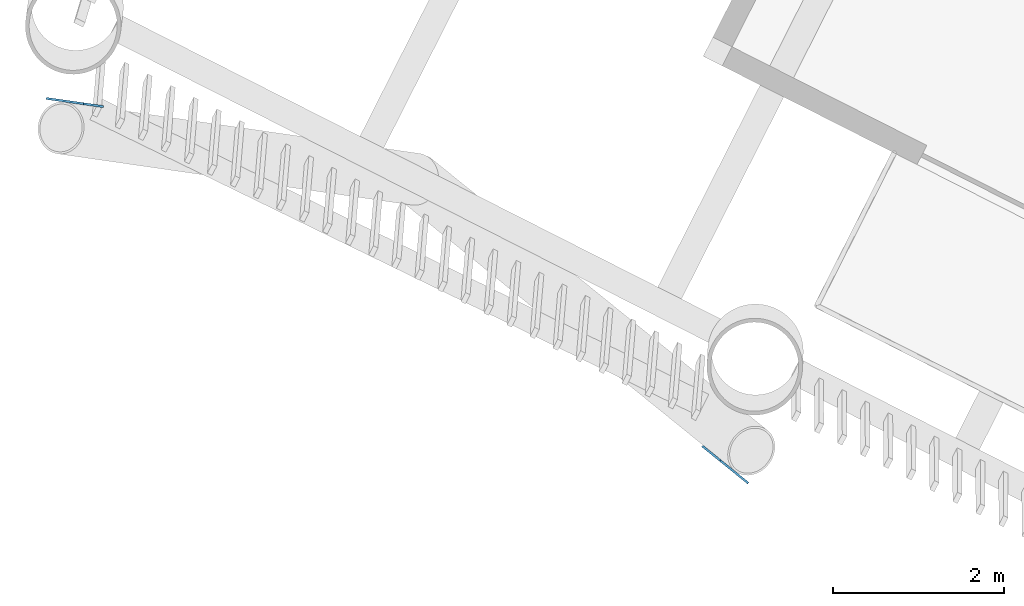
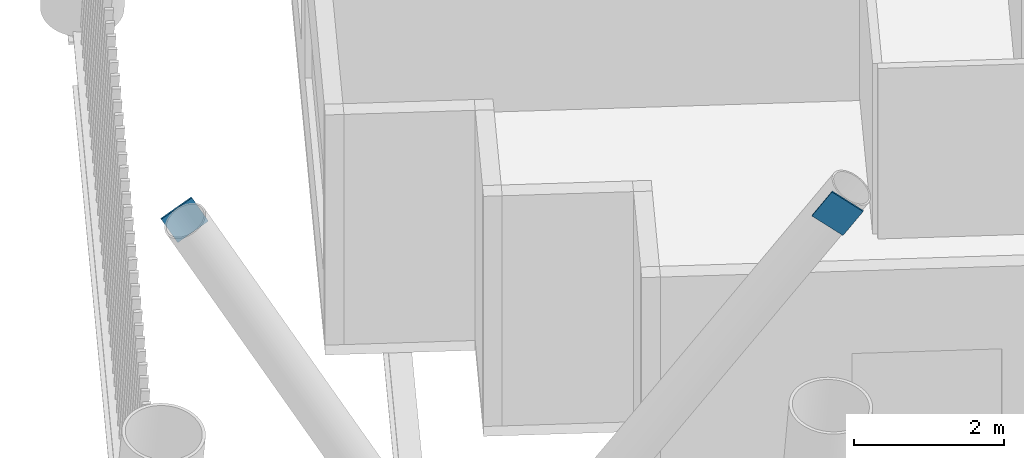
# One storey, part 11 of 21: 2 discrete accessories.
"""IFC4 building model written with IfcOpenShell, lengths in metres."""

from ifc_helpers import new_model, si_unit, direction, frame, origin, origin_2d, place, context, subcontext, project, spatial, rectangle, extrude, material, material_profile, profile_set, type_object, element, save


model = new_model("IFC4")

# Units and contexts
model_context = context("Model", 3, precision=1e-05, world=origin(), true_north=direction((0.0, 1.0)))
body_context = subcontext(model_context, "Body", "Model", "MODEL_VIEW")
ifc_project = project(units=[si_unit("LENGTHUNIT", "METRE"), si_unit("AREAUNIT", "SQUARE_METRE"), si_unit("VOLUMEUNIT", "CUBIC_METRE"), si_unit("PLANEANGLEUNIT", "RADIAN"), si_unit("MASSUNIT", "GRAM", prefix="KILO")], contexts=[model_context])

# Site, building, storey
site_placement = place(None, origin())
site = spatial("IfcSite", under=ifc_project, at=site_placement, CompositionType="ELEMENT")
building_placement = place(site_placement, origin())
building = spatial("IfcBuilding", under=site, at=building_placement, Name="Tarsis Ring Headquarters", CompositionType="ELEMENT")
storey_placement = place(building_placement, frame((0.0, 0.0, 171.0)))
storey = spatial("IfcBuildingStorey", under=building, at=storey_placement, Name="L39", CompositionType="ELEMENT", Elevation=171.0)

# Discrete accessories
ifc_material = material(Name="Structural steel S355", Category="steel")
ifc_material_profile = material_profile(ifc_material, rectangle(XDim=0.02490234375, YDim=0.5, at=origin_2d()), Name="PL 25x500")
ifc_profile_set = profile_set([ifc_material_profile], Name="Structural steel S355")
discrete_accessory_type = type_object("IfcDiscreteAccessoryType", Name="Gusset plate Exo brace 25", PredefinedType="BRACKET", material=ifc_profile_set)
discrete_accessory_1_placement = place(storey_placement, frame((-37.175048828125, 0.704345703125, 7.800048828125), z_axis=(-0.422246468245, 0.341702344244, -0.839611474429), x_axis=(-0.629068959222, -0.77734949961, 0.0)))
element("IfcDiscreteAccessory", 1, at=discrete_accessory_1_placement, inside=storey, type_object=discrete_accessory_type, Name="Gusset plate GP5", PredefinedType="BRACKET", context=body_context, shape_type="SweptSolid", body=[
    extrude(rectangle(XDim=0.02490234375, YDim=0.5, at=origin_2d()), origin(), (0.0, 0.0, 1.0), 0.500244140625),
])
discrete_accessory_2_placement = place(storey_placement, frame((-44.994384765625, 5.035888671875, 7.800048828125), z_axis=(0.467743941695, -0.067378563626, -0.881292082213), x_axis=(0.142578417796, 0.989783509046, 0.0)))
element("IfcDiscreteAccessory", 2, at=discrete_accessory_2_placement, inside=storey, type_object=discrete_accessory_type, Name="Gusset plate GP5", PredefinedType="BRACKET", context=body_context, shape_type="SweptSolid", body=[
    extrude(rectangle(XDim=0.02490234375, YDim=0.5, at=origin_2d()), origin(), (0.0, 0.0, 1.0), 0.5),
])

save(model, "model.ifc")
